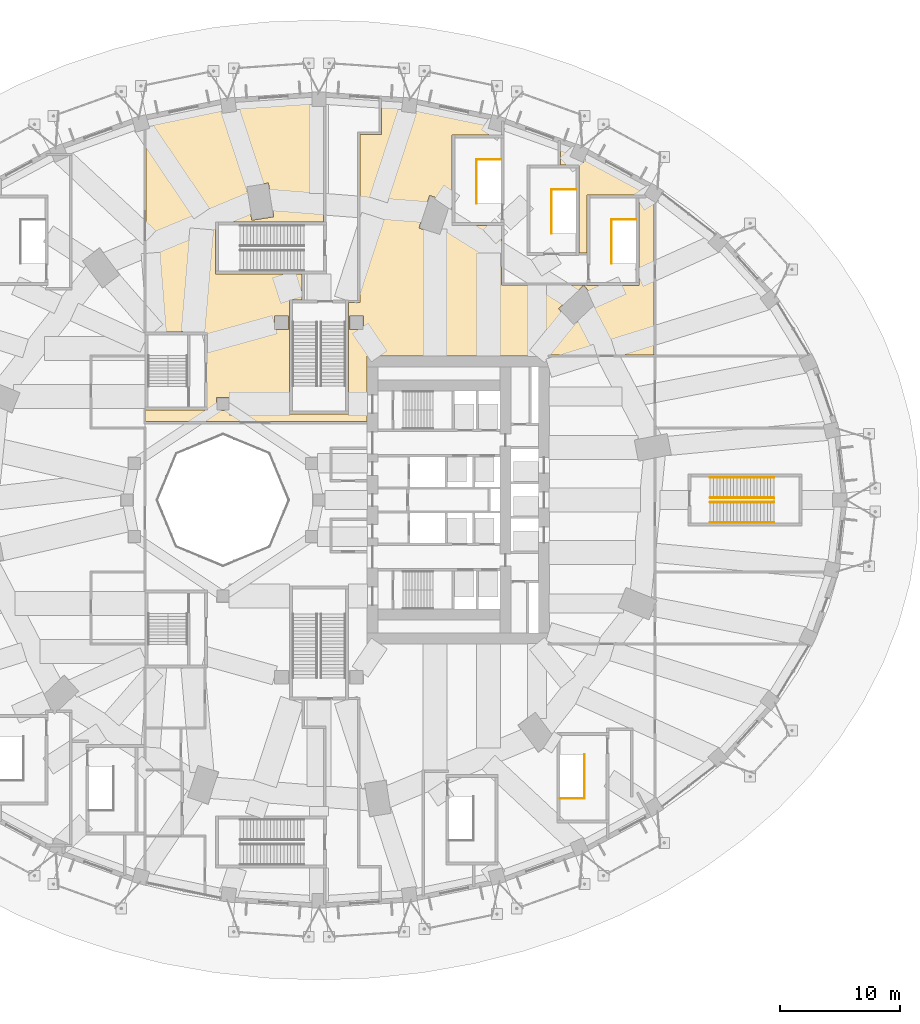
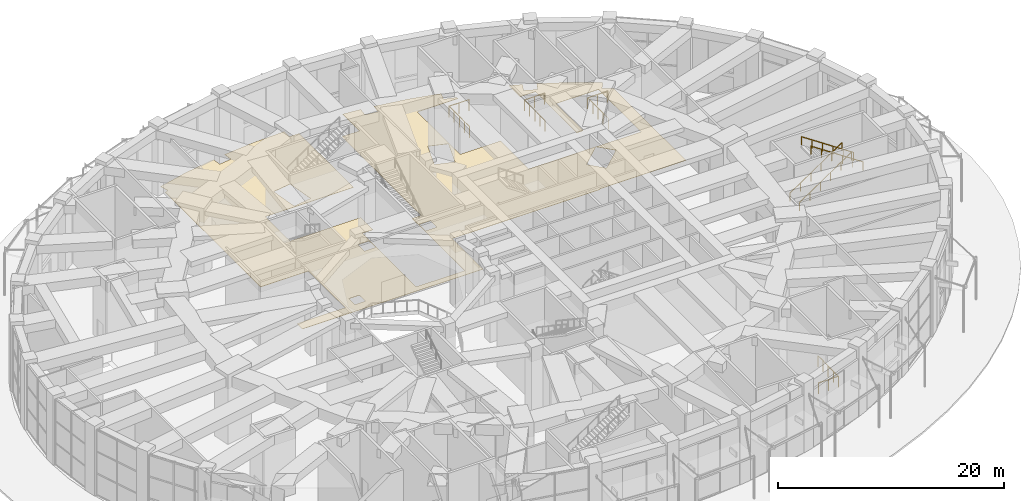
# One storey, part 59 of 60: 8 railings, 1 covering.
"""IFC4 building model written with IfcOpenShell, lengths in metres."""

import ifcopenshell
import ifcopenshell.guid

model = None  # the IFC model being written
_history = None  # IfcOwnerHistory: only IFC2X3 demands one
_inside = {}  # id of a spatial element -> (the spatial element, [elements in it])
_under = {}  # id of a project, library or spatial element -> (it, [spatial elements below it])
_declared = {}  # id of a project -> (the project, [libraries it declares])
_typed = {}  # id of a type object -> (the type object, [elements of that type])
_made_of = {}  # id of a material, layer set ... -> (it, [elements and type objects made of it])


def new_model(schema):
    """Start an empty IFC model of exactly this schema.

    Asked for "IFC4X3", IfcOpenShell would pick the latest addendum, in which some entities
    have other attributes; the version numbers below select the first issue.
    IFC2X3 requires an IfcOwnerHistory on every rooted entity: one is made here for all.
    """
    global model, _history
    if schema == "IFC4X3":
        model = ifcopenshell.file(schema_version=(4, 3, 0, 0))
    else:
        model = ifcopenshell.file(schema=schema)
    _inside.clear()
    _under.clear()
    _declared.clear()
    _typed.clear()
    _made_of.clear()
    _history = None
    if model.schema == "IFC2X3":
        org = make("IfcOrganization", Name="unknown")
        user = make(
            "IfcPersonAndOrganization",
            ThePerson=make("IfcPerson", FamilyName="unknown"),
            TheOrganization=org,
        )
        app = make(
            "IfcApplication",
            ApplicationDeveloper=org,
            Version="unknown",
            ApplicationFullName="unknown",
            ApplicationIdentifier="unknown",
        )
        _history = make(
            "IfcOwnerHistory",
            OwningUser=user,
            OwningApplication=app,
            ChangeAction="ADDED",
            CreationDate=0,
        )
    return model


def make(cls, **values):
    """One entity of the class cls with the attributes given. An attribute that is None is left unset."""
    return model.create_entity(
        cls, **{name: value for name, value in values.items() if value is not None}
    )


def rooted(cls, **values):
    """An entity with a GlobalId (a new one), such as an element, a storey or a relation."""
    return make(cls, GlobalId=ifcopenshell.guid.new(), OwnerHistory=_history, **values)


def si_unit(unit_type, name, prefix=None):
    """IfcSIUnit, for example si_unit("LENGTHUNIT", "METRE", prefix="MILLI")."""
    return make("IfcSIUnit", UnitType=unit_type, Prefix=prefix, Name=name)


def assignment(units):
    """IfcUnitAssignment: the units of a project."""
    return None if units is None else make("IfcUnitAssignment", Units=units)


def point(xyz):
    """IfcCartesianPoint."""
    return None if xyz is None else make("IfcCartesianPoint", Coordinates=xyz)


def direction(xyz):
    """IfcDirection."""
    return None if xyz is None else make("IfcDirection", DirectionRatios=xyz)


def frame(location, z_axis=None, x_axis=None):
    """IfcAxis2Placement3D, a coordinate frame: its origin and axes. An axis left out is left unset."""
    return make(
        "IfcAxis2Placement3D",
        Location=point(location),
        Axis=direction(z_axis),
        RefDirection=direction(x_axis),
    )


def frame_2d(location, x_axis=None):
    """IfcAxis2Placement2D, a coordinate frame in the plane: its origin and x axis."""
    return make(
        "IfcAxis2Placement2D", Location=point(location), RefDirection=direction(x_axis)
    )


def origin():
    """The frame at (0, 0, 0) with its axes left unset."""
    return frame((0.0, 0.0, 0.0))


def origin_2d():
    """The frame at (0, 0) in the plane with its x axis left unset."""
    return frame_2d((0.0, 0.0))


def place(relative_to, where):
    """IfcLocalPlacement: puts the frame where relative to a parent placement (None: the world)."""
    return make(
        "IfcLocalPlacement", PlacementRelTo=relative_to, RelativePlacement=where
    )


def context(
    kind, dimensions, precision=None, world=None, true_north=None, identifier=None
):
    """IfcGeometricRepresentationContext, for example the 3D "Model" context."""
    return make(
        "IfcGeometricRepresentationContext",
        ContextIdentifier=identifier,
        ContextType=kind,
        CoordinateSpaceDimension=dimensions,
        Precision=precision,
        WorldCoordinateSystem=world,
        TrueNorth=true_north,
    )


def subcontext(parent, identifier, kind, view, scale=None):
    """IfcGeometricRepresentationSubContext, for example "Body" below "Model"."""
    return make(
        "IfcGeometricRepresentationSubContext",
        ContextIdentifier=identifier,
        ContextType=kind,
        ParentContext=parent,
        TargetScale=scale,
        TargetView=view,
    )


def project(units=None, contexts=None):
    """IfcProject with its units and contexts."""
    return rooted(
        "IfcProject",
        Name="project",
        RepresentationContexts=contexts,
        UnitsInContext=assignment(units),
    )


def spatial(cls, under=None, at=None, **own):
    """A site, building, storey or space (cls), placed at a placement, below another one or the project."""
    s = rooted(cls, ObjectPlacement=at, **own)
    if under is not None:
        _under.setdefault(under.id(), (under, []))[1].append(s)
    return s


def polyline(points):
    """IfcPolyline through the points."""
    return make("IfcPolyline", Points=[point(p) for p in points])


def profile(cls, at=None, kind="AREA", **sizes):
    """A parametric profile (cls). Its sizes go by their IFC names, for example OverallWidth=200.0."""
    return make(cls, ProfileType=kind, Position=at, **sizes)


def circle(**sizes):
    """IfcCircleProfileDef."""
    return profile("IfcCircleProfileDef", **sizes)


def outline(outer, holes=None, kind="AREA"):
    """IfcArbitraryClosedProfileDef: a profile drawn as a closed curve; with holes, ...WithVoids."""
    if holes is None:
        return make("IfcArbitraryClosedProfileDef", ProfileType=kind, OuterCurve=outer)
    return make(
        "IfcArbitraryProfileDefWithVoids",
        ProfileType=kind,
        OuterCurve=outer,
        InnerCurves=holes,
    )


def extrude(swept, where, along, depth):
    """IfcExtrudedAreaSolid: the profile swept, set in the frame where, extruded along a direction by depth."""
    return make(
        "IfcExtrudedAreaSolid",
        SweptArea=swept,
        Position=where,
        ExtrudedDirection=direction(along),
        Depth=depth,
    )


def shape(context_of_items, identifier, shape_type, items):
    """IfcShapeRepresentation: the items that make up one representation, for example the "Body"."""
    return make(
        "IfcShapeRepresentation",
        ContextOfItems=context_of_items,
        RepresentationIdentifier=identifier,
        RepresentationType=shape_type,
        Items=items,
    )


def material(Name=None, Category=None):
    """IfcMaterial."""
    return make("IfcMaterial", Name=Name, Category=Category)


def layer(
    of_material, thickness, ventilated=None, Name=None, Category=None, Priority=None
):
    """IfcMaterialLayer: one layer of a wall or slab, of a material (None: an air gap)."""
    return make(
        "IfcMaterialLayer",
        Material=of_material,
        LayerThickness=thickness,
        IsVentilated=ventilated,
        Name=Name,
        Category=Category,
        Priority=Priority,
    )


def layer_set(layers, Name=None):
    """IfcMaterialLayerSet."""
    return make("IfcMaterialLayerSet", MaterialLayers=layers, LayerSetName=Name)


def made_of(thing, what):
    """Note that an element or type object is made of a material, layer set ...; save() writes the relation."""
    if what is not None:
        _made_of.setdefault(what.id(), (what, []))[1].append(thing)
    return thing


def type_object(cls, material=None, **own):
    """A type object (cls), such as IfcWallType, which elements share."""
    return made_of(rooted(cls, **own), material)


def element(
    cls,
    number,
    at=None,
    inside=None,
    cuts=None,
    type_object=None,
    material=None,
    context=None,
    identifier="Body",
    shape_type=None,
    held_by="IfcProductDefinitionShape",
    body=None,
    shapes=None,
    **own,
):
    """One element of the class cls, such as IfcWall. Its Tag is "e" and its number.

    at: its placement. inside: the storey or other place that contains it. cuts: it is an
    opening in that element (IfcRelVoidsElement). A single representation is given by context,
    identifier, shape_type and body (its items); several are given by shapes. held_by: the class
    of the entity that holds the representations. save() writes the other relations.
    """
    e = rooted(cls, Tag="e%d" % number, ObjectPlacement=at, **own)
    if body is not None:
        shapes = [shape(context, identifier, shape_type, body)]
    if shapes is not None:
        e.Representation = make(held_by, Representations=shapes)
    if inside is not None:
        _inside.setdefault(inside.id(), (inside, []))[1].append(e)
    if cuts is not None:
        rooted(
            "IfcRelVoidsElement", RelatingBuildingElement=cuts, RelatedOpeningElement=e
        )
    if type_object is not None:
        _typed.setdefault(type_object.id(), (type_object, []))[1].append(e)
    return made_of(e, material)


def aggregate(whole, parts):
    """IfcRelAggregates: a whole, such as a stair, and the parts it consists of."""
    return rooted("IfcRelAggregates", RelatingObject=whole, RelatedObjects=parts)


def save(model, path):
    """Write the relations noted so far, then the file.

    IfcRelAggregates (storeys below a building ...), IfcRelContainedInSpatialStructure (elements
    in a storey), IfcRelDefinesByType, IfcRelAssociatesMaterial and IfcRelDeclares: one each for
    every whole, place, type object, material and project.
    """
    for whole, parts in _under.values():
        aggregate(whole, parts)
    for where, things in _inside.values():
        rooted(
            "IfcRelContainedInSpatialStructure",
            RelatedElements=things,
            RelatingStructure=where,
        )
    for kind, things in _typed.values():
        rooted("IfcRelDefinesByType", RelatedObjects=things, RelatingType=kind)
    for what, things in _made_of.values():
        rooted("IfcRelAssociatesMaterial", RelatedObjects=things, RelatingMaterial=what)
    for by, libraries in _declared.values():
        rooted("IfcRelDeclares", RelatingContext=by, RelatedDefinitions=libraries)
    model.write(path)


model = new_model("IFC4")

# Units and contexts
model_context = context("Model", 3, precision=1e-05, world=origin(), true_north=direction((0.0, 1.0)))
body_context = subcontext(model_context, "Body", "Model", "MODEL_VIEW")
ifc_project = project(units=[si_unit("LENGTHUNIT", "METRE"), si_unit("AREAUNIT", "SQUARE_METRE"), si_unit("VOLUMEUNIT", "CUBIC_METRE"), si_unit("PLANEANGLEUNIT", "RADIAN"), si_unit("MASSUNIT", "GRAM", prefix="KILO")], contexts=[model_context])

# Site, building, storey
site_placement = place(None, origin())
site = spatial("IfcSite", under=ifc_project, at=site_placement, CompositionType="ELEMENT")
building_placement = place(site_placement, origin())
building = spatial("IfcBuilding", under=site, at=building_placement, Name="Taillehof Tower", CompositionType="ELEMENT")
storey_placement = place(building_placement, origin())
storey = spatial("IfcBuildingStorey", under=building, at=storey_placement, Name="L00", CompositionType="ELEMENT", Elevation=0.0)

# Covering
ifc_material_1 = material(Name="Terrazzo floor finish")
ifc_layer = layer(ifc_material_1, 0.030029296875)
ifc_layer_set = layer_set([ifc_layer], Name="Floor finish 30 mm")
covering_type = type_object("IfcCoveringType", Name="Floor finish 30 mm", PredefinedType="FLOORING", material=ifc_layer_set)
covering_placement = place(storey_placement, origin())
element("IfcCovering", 1, at=covering_placement, inside=storey, type_object=covering_type, Name="Floor finish L00-37", PredefinedType="FLOORING", context=body_context, shape_type="SweptSolid", body=[
    extrude(outline(polyline([(4.0, 6.550048828125), (-14.4375, 6.550048828125), (-14.4375, 7.5), (-9.5, 7.5), (-9.5, 14.0), (-14.39990234375, 14.0), (-14.39990234375, 30.85595703125), (-14.095458984375, 30.941650390625), (-14.0927734375, 30.942626953125), (-14.090087890625, 30.94384765625), (-14.08740234375, 30.9453125), (-14.0849609375, 30.947021484375), (-14.082763671875, 30.948974609375), (-14.080810546875, 30.951171875), (-14.0791015625, 30.953369140625), (-14.077392578125, 30.955810546875), (-14.076171875, 30.95849609375), (-14.0751953125, 30.961181640625), (-14.07421875, 30.964111328125), (-14.07373046875, 30.967041015625), (-14.07373046875, 30.969970703125), (-14.07373046875, 30.972900390625), (-14.07421875, 30.975830078125), (-14.07470703125, 30.978759765625), (-14.31201171875, 31.822265625), (-11.3046875, 32.552978515625), (-8.1982421875, 33.083740234375), (-8.07958984375, 32.213134765625), (-8.0791015625, 32.210205078125), (-8.078125, 32.207275390625), (-8.0771484375, 32.20458984375), (-8.07568359375, 32.201904296875), (-8.07421875, 32.199462890625), (-8.072265625, 32.197265625), (-8.0703125, 32.195068359375), (-8.06787109375, 32.193115234375), (-8.065673828125, 32.19140625), (-8.06298828125, 32.190185546875), (-8.060302734375, 32.18896484375), (-8.057373046875, 32.18798828125), (-8.0546875, 32.1875), (-8.0517578125, 32.18701171875), (-8.048828125, 32.18701171875), (-8.0458984375, 32.187255859375), (-6.856689453125, 32.349365234375), (-6.853759765625, 32.349853515625), (-6.85107421875, 32.350830078125), (-6.848388671875, 32.351806640625), (-6.845703125, 32.353271484375), (-6.84326171875, 32.354736328125), (-6.8408203125, 32.356689453125), (-6.8388671875, 32.358642578125), (-6.8369140625, 32.36083984375), (-6.835205078125, 32.36328125), (-6.833740234375, 32.365966796875), (-6.832763671875, 32.36865234375), (-6.831787109375, 32.371337890625), (-6.831298828125, 32.374267578125), (-6.830810546875, 32.377197265625), (-6.830810546875, 32.380126953125), (-6.8310546875, 32.383056640625), (-6.94970703125, 33.253173828125), (-3.806640625, 33.572021484375), (-0.6298828125, 33.678955078125), (-0.6298828125, 32.800048828125), (-0.6298828125, 32.797119140625), (-0.62939453125, 32.794189453125), (-0.628662109375, 32.791259765625), (-0.627685546875, 32.78857421875), (-0.62646484375, 32.785888671875), (-0.625, 32.783447265625), (-0.623291015625, 32.781005859375), (-0.62109375, 32.77880859375), (-0.619140625, 32.77685546875), (-0.61669921875, 32.775146484375), (-0.6142578125, 32.7734375), (-0.611572265625, 32.772216796875), (-0.608642578125, 32.771240234375), (-0.60595703125, 32.7705078125), (-0.60302734375, 32.770263671875), (-0.60009765625, 32.77001953125), (0.385009765625, 32.77001953125), (0.385009765625, 23.175048828125), (-8.360107421875, 23.175048828125), (-8.610107421875, 23.175048828125), (-8.610107421875, 19.074951171875), (-8.610107421875, 18.824951171875), (-1.39990234375, 18.824951171875), (-1.39990234375, 16.669921875), (-2.22509765625, 16.669921875), (-2.47509765625, 16.669921875), (-2.47509765625, 7.39990234375), (-2.47509765625, 7.14990234375), (2.47509765625, 7.14990234375), (2.47509765625, 7.39990234375), (2.47509765625, 16.445068359375), (3.39990234375, 16.445068359375), (3.39990234375, 16.64501953125), (3.39990234375, 30.449951171875), (5.199951171875, 30.449951171875), (5.199951171875, 30.64990234375), (5.199951171875, 33.4306640625), (6.94970703125, 33.253173828125), (6.8310546875, 32.383056640625), (6.830810546875, 32.380126953125), (6.830810546875, 32.377197265625), (6.831298828125, 32.374267578125), (6.831787109375, 32.371337890625), (6.832763671875, 32.36865234375), (6.833740234375, 32.365966796875), (6.835205078125, 32.36328125), (6.8369140625, 32.36083984375), (6.8388671875, 32.358642578125), (6.8408203125, 32.356689453125), (6.84326171875, 32.354736328125), (6.845703125, 32.353271484375), (6.848388671875, 32.351806640625), (6.85107421875, 32.350830078125), (6.853759765625, 32.349853515625), (6.856689453125, 32.349365234375), (8.0458984375, 32.187255859375), (8.048828125, 32.18701171875), (8.0517578125, 32.18701171875), (8.0546875, 32.1875), (8.057373046875, 32.18798828125), (8.060302734375, 32.18896484375), (8.06298828125, 32.190185546875), (8.065673828125, 32.19140625), (8.06787109375, 32.193115234375), (8.0703125, 32.195068359375), (8.072265625, 32.197265625), (8.07421875, 32.199462890625), (8.07568359375, 32.201904296875), (8.0771484375, 32.20458984375), (8.078125, 32.207275390625), (8.0791015625, 32.210205078125), (8.07958984375, 32.213134765625), (8.1982421875, 33.083740234375), (11.3046875, 32.552978515625), (14.31201171875, 31.822265625), (14.07470703125, 30.978759765625), (14.07421875, 30.975830078125), (14.07373046875, 30.972900390625), (14.07373046875, 30.969970703125), (14.07373046875, 30.967041015625), (14.07421875, 30.964111328125), (14.0751953125, 30.961181640625), (14.076171875, 30.95849609375), (14.077392578125, 30.955810546875), (14.0791015625, 30.953369140625), (14.080810546875, 30.951171875), (14.082763671875, 30.948974609375), (14.0849609375, 30.947021484375), (14.08740234375, 30.9453125), (14.090087890625, 30.94384765625), (14.0927734375, 30.942626953125), (14.095458984375, 30.941650390625), (15.199951171875, 30.631103515625), (15.199951171875, 30.4150390625), (11.324951171875, 30.4150390625), (11.074951171875, 30.4150390625), (11.074951171875, 23.125), (11.074951171875, 22.875), (15.199951171875, 22.875), (15.199951171875, 18.10009765625), (15.199951171875, 17.89990234375), (22.324951171875, 17.89990234375), (22.324951171875, 17.875), (26.675048828125, 17.875), (26.675048828125, 18.125), (26.675048828125, 25.1650390625), (26.675048828125, 25.4150390625), (22.574951171875, 25.4150390625), (22.324951171875, 25.4150390625), (22.324951171875, 20.60009765625), (21.675048828125, 20.60009765625), (21.675048828125, 27.6650390625), (21.675048828125, 27.9150390625), (20.114501953125, 27.9150390625), (20.114501953125, 29.88232421875), (21.236328125, 29.432373046875), (20.880126953125, 28.634033203125), (20.879150390625, 28.63134765625), (20.87841796875, 28.62841796875), (20.8779296875, 28.62548828125), (20.877685546875, 28.62255859375), (20.877685546875, 28.61962890625), (20.8779296875, 28.61669921875), (20.878662109375, 28.61376953125), (20.879638671875, 28.611083984375), (20.880859375, 28.6083984375), (20.88232421875, 28.605712890625), (20.8837890625, 28.603271484375), (20.8857421875, 28.60107421875), (20.887939453125, 28.59912109375), (20.890380859375, 28.59716796875), (20.892822265625, 28.595703125), (20.895263671875, 28.594482421875), (21.9912109375, 28.10546875), (21.993896484375, 28.1044921875), (21.996826171875, 28.103515625), (21.999755859375, 28.10302734375), (22.002685546875, 28.102783203125), (22.005615234375, 28.10302734375), (22.008544921875, 28.103271484375), (22.011474609375, 28.10400390625), (22.01416015625, 28.104736328125), (22.016845703125, 28.10595703125), (22.01953125, 28.107421875), (22.02197265625, 28.109130859375), (22.024169921875, 28.111083984375), (22.026123046875, 28.11328125), (22.028076171875, 28.115478515625), (22.029541015625, 28.117919921875), (22.031005859375, 28.12060546875), (22.387939453125, 28.921142578125), (25.055419921875, 27.611572265625), (27.51611328125, 26.156494140625), (27.0419921875, 25.42529296875), (27.04052734375, 25.422607421875), (27.039306640625, 25.419921875), (27.038330078125, 25.417236328125), (27.03759765625, 25.414306640625), (27.037109375, 25.411376953125), (27.037109375, 25.408447265625), (27.037353515625, 25.405517578125), (27.037841796875, 25.402587890625), (27.03857421875, 25.399658203125), (27.03955078125, 25.39697265625), (27.040771484375, 25.394287109375), (27.04248046875, 25.391845703125), (27.044189453125, 25.389404296875), (27.046142578125, 25.387451171875), (27.04833984375, 25.385498046875), (27.05078125, 25.3837890625), (27.89990234375, 24.8330078125), (27.89990234375, 12.10009765625), (19.10009765625, 12.10009765625), (19.10009765625, 12.0), (4.0, 12.0), (4.0, 6.550048828125)]), holes=[polyline([(-8.511474609375, 7.47216796875), (-8.5087890625, 7.47119140625), (-8.505859375, 7.470458984375), (-8.5029296875, 7.47021484375), (-8.5, 7.469970703125), (-7.5, 7.469970703125), (-7.4970703125, 7.47021484375), (-7.494140625, 7.470458984375), (-7.4912109375, 7.47119140625), (-7.488525390625, 7.47216796875), (-7.48583984375, 7.4736328125), (-7.4833984375, 7.47509765625), (-7.48095703125, 7.476806640625), (-7.478759765625, 7.478759765625), (-7.476806640625, 7.48095703125), (-7.47509765625, 7.4833984375), (-7.4736328125, 7.48583984375), (-7.47216796875, 7.488525390625), (-7.47119140625, 7.4912109375), (-7.470458984375, 7.494140625), (-7.47021484375, 7.4970703125), (-7.469970703125, 7.5), (-7.469970703125, 8.5), (-7.47021484375, 8.5029296875), (-7.470458984375, 8.505859375), (-7.47119140625, 8.5087890625), (-7.47216796875, 8.511474609375), (-7.4736328125, 8.51416015625), (-7.47509765625, 8.5166015625), (-7.476806640625, 8.51904296875), (-7.478759765625, 8.521240234375), (-7.48095703125, 8.523193359375), (-7.4833984375, 8.52490234375), (-7.48583984375, 8.5263671875), (-7.488525390625, 8.52783203125), (-7.4912109375, 8.52880859375), (-7.494140625, 8.529541015625), (-7.4970703125, 8.52978515625), (-7.5, 8.530029296875), (-8.5, 8.530029296875), (-8.5029296875, 8.52978515625), (-8.505859375, 8.529541015625), (-8.5087890625, 8.52880859375), (-8.511474609375, 8.52783203125), (-8.51416015625, 8.5263671875), (-8.5166015625, 8.52490234375), (-8.51904296875, 8.523193359375), (-8.521240234375, 8.521240234375), (-8.523193359375, 8.51904296875), (-8.52490234375, 8.5166015625), (-8.5263671875, 8.51416015625), (-8.52783203125, 8.511474609375), (-8.52880859375, 8.5087890625), (-8.529541015625, 8.505859375), (-8.52978515625, 8.5029296875), (-8.530029296875, 8.5), (-8.530029296875, 7.5), (-8.52978515625, 7.4970703125), (-8.529541015625, 7.494140625), (-8.52880859375, 7.4912109375), (-8.52783203125, 7.488525390625), (-8.5263671875, 7.48583984375), (-8.52490234375, 7.4833984375), (-8.523193359375, 7.48095703125), (-8.521240234375, 7.478759765625), (-8.51904296875, 7.476806640625), (-8.5166015625, 7.47509765625), (-8.51416015625, 7.4736328125), (-8.511474609375, 7.47216796875)]), polyline([(2.564208984375, 14.1943359375), (2.56689453125, 14.193359375), (2.56982421875, 14.192626953125), (2.57275390625, 14.1923828125), (2.57568359375, 14.192138671875), (3.67578125, 14.192138671875), (3.6787109375, 14.1923828125), (3.681640625, 14.192626953125), (3.684326171875, 14.193359375), (3.687255859375, 14.1943359375), (3.689697265625, 14.195556640625), (3.6923828125, 14.197265625), (3.694580078125, 14.198974609375), (3.69677734375, 14.200927734375), (3.698974609375, 14.203125), (3.70068359375, 14.20556640625), (3.7021484375, 14.2080078125), (3.703369140625, 14.210693359375), (3.704345703125, 14.21337890625), (3.705078125, 14.21630859375), (3.70556640625, 14.21923828125), (3.70556640625, 14.22216796875), (3.70556640625, 15.322021484375), (3.70556640625, 15.324951171875), (3.705078125, 15.327880859375), (3.704345703125, 15.330810546875), (3.703369140625, 15.33349609375), (3.7021484375, 15.336181640625), (3.70068359375, 15.3388671875), (3.698974609375, 15.341064453125), (3.69677734375, 15.34326171875), (3.694580078125, 15.34521484375), (3.6923828125, 15.34716796875), (3.689697265625, 15.3486328125), (3.687255859375, 15.349853515625), (3.684326171875, 15.350830078125), (3.681640625, 15.3515625), (3.6787109375, 15.35205078125), (3.67578125, 15.35205078125), (2.57568359375, 15.35205078125), (2.57275390625, 15.35205078125), (2.56982421875, 15.3515625), (2.56689453125, 15.350830078125), (2.564208984375, 15.349853515625), (2.5615234375, 15.3486328125), (2.55908203125, 15.34716796875), (2.556640625, 15.34521484375), (2.554443359375, 15.34326171875), (2.552490234375, 15.341064453125), (2.55078125, 15.3388671875), (2.54931640625, 15.336181640625), (2.5478515625, 15.33349609375), (2.546875, 15.330810546875), (2.546142578125, 15.327880859375), (2.5458984375, 15.324951171875), (2.545654296875, 15.322021484375), (2.545654296875, 14.22216796875), (2.5458984375, 14.21923828125), (2.546142578125, 14.21630859375), (2.546875, 14.21337890625), (2.5478515625, 14.210693359375), (2.54931640625, 14.2080078125), (2.55078125, 14.20556640625), (2.552490234375, 14.203125), (2.554443359375, 14.200927734375), (2.556640625, 14.198974609375), (2.55908203125, 14.197265625), (2.5615234375, 14.195556640625), (2.564208984375, 14.1943359375)]), polyline([(-3.687255859375, 14.1943359375), (-3.684326171875, 14.193359375), (-3.681640625, 14.192626953125), (-3.6787109375, 14.1923828125), (-3.67578125, 14.192138671875), (-2.57568359375, 14.192138671875), (-2.57275390625, 14.1923828125), (-2.56982421875, 14.192626953125), (-2.56689453125, 14.193359375), (-2.564208984375, 14.1943359375), (-2.5615234375, 14.195556640625), (-2.55908203125, 14.197265625), (-2.556640625, 14.198974609375), (-2.554443359375, 14.200927734375), (-2.552490234375, 14.203125), (-2.55078125, 14.20556640625), (-2.54931640625, 14.2080078125), (-2.5478515625, 14.210693359375), (-2.546875, 14.21337890625), (-2.546142578125, 14.21630859375), (-2.5458984375, 14.21923828125), (-2.545654296875, 14.22216796875), (-2.545654296875, 15.322021484375), (-2.5458984375, 15.324951171875), (-2.546142578125, 15.327880859375), (-2.546875, 15.330810546875), (-2.5478515625, 15.33349609375), (-2.54931640625, 15.336181640625), (-2.55078125, 15.3388671875), (-2.552490234375, 15.341064453125), (-2.554443359375, 15.34326171875), (-2.556640625, 15.34521484375), (-2.55908203125, 15.34716796875), (-2.5615234375, 15.3486328125), (-2.564208984375, 15.349853515625), (-2.56689453125, 15.350830078125), (-2.56982421875, 15.3515625), (-2.57275390625, 15.35205078125), (-2.57568359375, 15.35205078125), (-3.67578125, 15.35205078125), (-3.6787109375, 15.35205078125), (-3.681640625, 15.3515625), (-3.684326171875, 15.350830078125), (-3.687255859375, 15.349853515625), (-3.689697265625, 15.3486328125), (-3.6923828125, 15.34716796875), (-3.694580078125, 15.34521484375), (-3.69677734375, 15.34326171875), (-3.698974609375, 15.341064453125), (-3.70068359375, 15.3388671875), (-3.7021484375, 15.336181640625), (-3.703369140625, 15.33349609375), (-3.704345703125, 15.330810546875), (-3.705078125, 15.327880859375), (-3.70556640625, 15.324951171875), (-3.70556640625, 15.322021484375), (-3.70556640625, 14.22216796875), (-3.70556640625, 14.21923828125), (-3.705078125, 14.21630859375), (-3.704345703125, 14.21337890625), (-3.703369140625, 14.210693359375), (-3.7021484375, 14.2080078125), (-3.70068359375, 14.20556640625), (-3.698974609375, 14.203125), (-3.69677734375, 14.200927734375), (-3.694580078125, 14.198974609375), (-3.6923828125, 14.197265625), (-3.689697265625, 14.195556640625), (-3.687255859375, 14.1943359375)]), polyline([(10.106201171875, 22.09765625), (10.10791015625, 22.099853515625), (10.109619140625, 22.1025390625), (10.11083984375, 22.10498046875), (10.11181640625, 22.10791015625), (10.98046875, 24.769775390625), (10.981201171875, 24.7724609375), (10.981689453125, 24.775390625), (10.98193359375, 24.7783203125), (10.98193359375, 24.78125), (10.9814453125, 24.7841796875), (10.98095703125, 24.787109375), (10.97998046875, 24.789794921875), (10.978759765625, 24.79248046875), (10.977294921875, 24.795166015625), (10.9755859375, 24.797607421875), (10.9736328125, 24.7998046875), (10.971435546875, 24.8017578125), (10.96923828125, 24.803466796875), (10.966552734375, 24.80517578125), (10.964111328125, 24.806396484375), (10.961181640625, 24.807373046875), (9.25, 25.365966796875), (9.247314453125, 25.36669921875), (9.244384765625, 25.3671875), (9.241455078125, 25.367431640625), (9.238525390625, 25.3671875), (9.235595703125, 25.366943359375), (9.232666015625, 25.3662109375), (9.22998046875, 25.365234375), (9.227294921875, 25.364013671875), (9.224609375, 25.362548828125), (9.22216796875, 25.36083984375), (9.219970703125, 25.359130859375), (9.218017578125, 25.35693359375), (9.21630859375, 25.3544921875), (9.214599609375, 25.35205078125), (9.21337890625, 25.349365234375), (9.212158203125, 25.3466796875), (8.34375, 22.684814453125), (8.3427734375, 22.681884765625), (8.34228515625, 22.678955078125), (8.34228515625, 22.676025390625), (8.34228515625, 22.673095703125), (8.342529296875, 22.670166015625), (8.34326171875, 22.66748046875), (8.34423828125, 22.66455078125), (8.345458984375, 22.661865234375), (8.346923828125, 22.659423828125), (8.3486328125, 22.656982421875), (8.3505859375, 22.65478515625), (8.3525390625, 22.65283203125), (8.35498046875, 22.65087890625), (8.357421875, 22.6494140625), (8.360107421875, 22.64794921875), (8.36279296875, 22.64697265625), (10.073974609375, 22.088623046875), (10.076904296875, 22.087890625), (10.079833984375, 22.08740234375), (10.082763671875, 22.087158203125), (10.085693359375, 22.087158203125), (10.088623046875, 22.087646484375), (10.091552734375, 22.088134765625), (10.09423828125, 22.089111328125), (10.096923828125, 22.09033203125), (10.099609375, 22.091796875), (10.101806640625, 22.093505859375), (10.10400390625, 22.095458984375), (10.106201171875, 22.09765625)]), polyline([(-3.76953125, 23.6142578125), (-3.768798828125, 23.6171875), (-3.768310546875, 23.619873046875), (-3.76806640625, 23.622802734375), (-3.76806640625, 23.6259765625), (-3.768310546875, 23.62890625), (-4.20556640625, 26.39453125), (-4.2060546875, 26.397216796875), (-4.20703125, 26.400146484375), (-4.208251953125, 26.40283203125), (-4.209716796875, 26.405517578125), (-4.211181640625, 26.407958984375), (-4.213134765625, 26.41015625), (-4.21533203125, 26.412109375), (-4.217529296875, 26.4140625), (-4.219970703125, 26.41552734375), (-4.22265625, 26.4169921875), (-4.225341796875, 26.418212890625), (-4.228271484375, 26.4189453125), (-4.231201171875, 26.41943359375), (-4.234130859375, 26.419677734375), (-4.237060546875, 26.419677734375), (-4.239990234375, 26.41943359375), (-6.017822265625, 26.138427734375), (-6.020751953125, 26.1376953125), (-6.0234375, 26.13671875), (-6.026123046875, 26.1357421875), (-6.02880859375, 26.13427734375), (-6.03125, 26.132568359375), (-6.033447265625, 26.130615234375), (-6.03564453125, 26.128662109375), (-6.037353515625, 26.126220703125), (-6.0390625, 26.123779296875), (-6.040283203125, 26.121337890625), (-6.04150390625, 26.118408203125), (-6.042236328125, 26.11572265625), (-6.042724609375, 26.11279296875), (-6.043212890625, 26.10986328125), (-6.04296875, 26.10693359375), (-6.042724609375, 26.10400390625), (-5.60546875, 23.33837890625), (-5.60498046875, 23.33544921875), (-5.60400390625, 23.332763671875), (-5.60302734375, 23.329833984375), (-5.6015625, 23.327392578125), (-5.599853515625, 23.324951171875), (-5.597900390625, 23.32275390625), (-5.595947265625, 23.320556640625), (-5.593505859375, 23.31884765625), (-5.591064453125, 23.317138671875), (-5.58837890625, 23.315673828125), (-5.585693359375, 23.314697265625), (-5.5830078125, 23.31396484375), (-5.580078125, 23.313232421875), (-5.5771484375, 23.31298828125), (-5.57421875, 23.31298828125), (-5.5712890625, 23.3134765625), (-3.793212890625, 23.594482421875), (-3.79052734375, 23.594970703125), (-3.78759765625, 23.595947265625), (-3.784912109375, 23.59716796875), (-3.7822265625, 23.5986328125), (-3.77978515625, 23.60009765625), (-3.777587890625, 23.60205078125), (-3.775634765625, 23.604248046875), (-3.773681640625, 23.6064453125), (-3.772216796875, 23.60888671875), (-3.770751953125, 23.611572265625), (-3.76953125, 23.6142578125)]), polyline([(21.244140625, 14.588623046875), (21.246826171875, 14.589599609375), (21.24951171875, 14.591064453125), (21.251953125, 14.5927734375), (21.254150390625, 14.5947265625), (23.29833984375, 16.508056640625), (23.300537109375, 16.51025390625), (23.30224609375, 16.512451171875), (23.303955078125, 16.514892578125), (23.30517578125, 16.517578125), (23.306396484375, 16.520263671875), (23.30712890625, 16.523193359375), (23.3076171875, 16.526123046875), (23.307861328125, 16.529052734375), (23.307861328125, 16.531982421875), (23.3076171875, 16.534912109375), (23.306884765625, 16.53759765625), (23.305908203125, 16.54052734375), (23.304931640625, 16.543212890625), (23.303466796875, 16.545654296875), (23.3017578125, 16.548095703125), (23.2998046875, 16.550537109375), (22.06982421875, 17.86474609375), (22.067626953125, 17.86669921875), (22.0654296875, 17.868408203125), (22.06298828125, 17.8701171875), (22.060302734375, 17.87158203125), (22.0576171875, 17.87255859375), (22.0546875, 17.873291015625), (22.0517578125, 17.873779296875), (22.048828125, 17.8740234375), (22.0458984375, 17.8740234375), (22.04296875, 17.873779296875), (22.040283203125, 17.873046875), (22.037353515625, 17.872314453125), (22.03466796875, 17.87109375), (22.031982421875, 17.86962890625), (22.02978515625, 17.867919921875), (22.02734375, 17.865966796875), (19.983154296875, 15.95263671875), (19.98095703125, 15.95068359375), (19.979248046875, 15.9482421875), (19.9775390625, 15.94580078125), (19.976318359375, 15.943115234375), (19.97509765625, 15.9404296875), (19.974365234375, 15.937744140625), (19.973876953125, 15.934814453125), (19.9736328125, 15.931884765625), (19.9736328125, 15.928955078125), (19.97412109375, 15.926025390625), (19.974609375, 15.923095703125), (19.9755859375, 15.920166015625), (19.976806640625, 15.91748046875), (19.97802734375, 15.9150390625), (19.979736328125, 15.91259765625), (19.981689453125, 15.910400390625), (21.211669921875, 14.59619140625), (21.2138671875, 14.593994140625), (21.216064453125, 14.59228515625), (21.218505859375, 14.590576171875), (21.22119140625, 14.58935546875), (21.223876953125, 14.588134765625), (21.226806640625, 14.58740234375), (21.229736328125, 14.5869140625), (21.232666015625, 14.586669921875), (21.235595703125, 14.586669921875), (21.238525390625, 14.5869140625), (21.241455078125, 14.587646484375), (21.244140625, 14.588623046875)])]), origin(), (0.0, 0.0, 1.0), 0.030029296875),
])

# Railings
ifc_material_2 = material(Name="Stainless steel and laminated glass", Category="steel")
railing_type_1 = type_object("IfcRailingType", Name="Guard 1200 mm", PredefinedType="GUARDRAIL", material=ifc_material_2)
railing_1_placement = place(storey_placement, frame((13.125, 24.72509765625, 0.0)))
element("IfcRailing", 2, at=railing_1_placement, inside=storey, type_object=railing_type_1, Name="Guard B3", PredefinedType="GUARDRAIL", context=body_context, shape_type="SweptSolid", body=[
    extrude(circle(Radius=0.02392578125, at=origin_2d()), frame((0.0, 0.0, 1.17578125), z_axis=(0.0, 1.0, 0.0), x_axis=(-1.0, 0.0, 0.0)), (0.0, 0.0, 1.0), 3.639892578125),
    extrude(circle(Radius=0.02392578125, at=origin_2d()), frame((0.0, 3.639892578125, 1.17578125), z_axis=(1.0, 0.0, 0.0), x_axis=(0.0, 1.0, 0.0)), (0.0, 0.0, 1.0), 2.050048828125),
    extrude(circle(Radius=0.02099609375, at=origin_2d()), origin(), (0.0, 0.0, 1.0), 1.15185546875),
    extrude(circle(Radius=0.02099609375, at=origin_2d()), frame((0.0, 0.909912109375, 0.0)), (0.0, 0.0, 1.0), 1.15185546875),
    extrude(circle(Radius=0.02099609375, at=origin_2d()), frame((0.0, 1.81982421875, 0.0)), (0.0, 0.0, 1.0), 1.15185546875),
    extrude(circle(Radius=0.02099609375, at=origin_2d()), frame((0.0, 2.72998046875, 0.0)), (0.0, 0.0, 1.0), 1.15185546875),
    extrude(circle(Radius=0.02099609375, at=origin_2d()), frame((0.0, 3.639892578125, 0.0)), (0.0, 0.0, 1.0), 1.15185546875),
    extrude(circle(Radius=0.02099609375, at=origin_2d()), frame((1.02490234375, 3.639892578125, 0.0)), (0.0, 0.0, 1.0), 1.15185546875),
    extrude(circle(Radius=0.02099609375, at=origin_2d()), frame((2.050048828125, 3.639892578125, 0.0)), (0.0, 0.0, 1.0), 1.15185546875),
])
railing_2_placement = place(storey_placement, frame((22.125, -21.22509765625, 0.0)))
element("IfcRailing", 3, at=railing_2_placement, inside=storey, type_object=railing_type_1, Name="Guard B4", PredefinedType="GUARDRAIL", context=body_context, shape_type="SweptSolid", body=[
    extrude(circle(Radius=0.02392578125, at=origin_2d()), frame((0.0, 0.0, 1.17578125), z_axis=(0.0, -1.0, 0.0), x_axis=(1.0, 0.0, 0.0)), (0.0, 0.0, 1.0), 3.639892578125),
    extrude(circle(Radius=0.02392578125, at=origin_2d()), frame((0.0, -3.639892578125, 1.17578125), z_axis=(-1.0, 0.0, 0.0), x_axis=(0.0, -1.0, 0.0)), (0.0, 0.0, 1.0), 2.050048828125),
    extrude(circle(Radius=0.02099609375, at=origin_2d()), origin(), (0.0, 0.0, 1.0), 1.15185546875),
    extrude(circle(Radius=0.02099609375, at=origin_2d()), frame((0.0, -0.909912109375, 0.0)), (0.0, 0.0, 1.0), 1.15185546875),
    extrude(circle(Radius=0.02099609375, at=origin_2d()), frame((0.0, -1.81982421875, 0.0)), (0.0, 0.0, 1.0), 1.15185546875),
    extrude(circle(Radius=0.02099609375, at=origin_2d()), frame((0.0, -2.72998046875, 0.0)), (0.0, 0.0, 1.0), 1.15185546875),
    extrude(circle(Radius=0.02099609375, at=origin_2d()), frame((0.0, -3.639892578125, 0.0)), (0.0, 0.0, 1.0), 1.15185546875),
    extrude(circle(Radius=0.02099609375, at=origin_2d()), frame((-1.02490234375, -3.639892578125, 0.0)), (0.0, 0.0, 1.0), 1.15185546875),
    extrude(circle(Radius=0.02099609375, at=origin_2d()), frame((-2.050048828125, -3.639892578125, 0.0)), (0.0, 0.0, 1.0), 1.15185546875),
])
for number, where, name in (
    (4, (24.375, 19.72509765625, 0.0), "Guard B5"),
    (5, (19.375, 22.22509765625, 0.0), "Guard B7"),
):
    element("IfcRailing", number, at=place(storey_placement, frame(where)), inside=storey, type_object=railing_type_1, Name=name, PredefinedType="GUARDRAIL", context=body_context, shape_type="SweptSolid", body=[
        extrude(circle(Radius=0.02392578125, at=origin_2d()), frame((0.0, 0.0, 1.17578125), z_axis=(0.0, 1.0, 0.0), x_axis=(-1.0, 0.0, 0.0)), (0.0, 0.0, 1.0), 3.639892578125),
        extrude(circle(Radius=0.02392578125, at=origin_2d()), frame((0.0, 3.639892578125, 1.17578125), z_axis=(1.0, 0.0, 0.0), x_axis=(0.0, 1.0, 0.0)), (0.0, 0.0, 1.0), 2.050048828125),
        extrude(circle(Radius=0.02099609375, at=origin_2d()), origin(), (0.0, 0.0, 1.0), 1.15185546875),
        extrude(circle(Radius=0.02099609375, at=origin_2d()), frame((0.0, 0.909912109375, 0.0)), (0.0, 0.0, 1.0), 1.15185546875),
        extrude(circle(Radius=0.02099609375, at=origin_2d()), frame((0.0, 1.81982421875, 0.0)), (0.0, 0.0, 1.0), 1.15185546875),
        extrude(circle(Radius=0.02099609375, at=origin_2d()), frame((0.0, 2.72998046875, 0.0)), (0.0, 0.0, 1.0), 1.15185546875),
        extrude(circle(Radius=0.02099609375, at=origin_2d()), frame((0.0, 3.639892578125, 0.0)), (0.0, 0.0, 1.0), 1.15185546875),
        extrude(circle(Radius=0.02099609375, at=origin_2d()), frame((1.02490234375, 3.639892578125, 0.0)), (0.0, 0.0, 1.0), 1.15185546875),
        extrude(circle(Radius=0.02099609375, at=origin_2d()), frame((2.050048828125, 3.639892578125, 0.0)), (0.0, 0.0, 1.0), 1.15185546875),
    ])
ifc_material_3 = material(Name="Stainless steel tube", Category="steel")
railing_type_2 = type_object("IfcRailingType", Name="Handrail 900 mm", PredefinedType="HANDRAIL", material=ifc_material_3)
for number, where, name in (
    (6, (32.60009765625, 1.864990234375, 0.1875), "Handrail P5"),
    (7, (32.60009765625, 0.18505859375, 0.1875), "Handrail P5"),
):
    element("IfcRailing", number, at=place(storey_placement, frame(where)), inside=storey, type_object=railing_type_2, Name=name, PredefinedType="HANDRAIL", context=body_context, shape_type="SweptSolid", body=[
        extrude(circle(Radius=0.02392578125, at=origin_2d()), frame((0.0, 0.0, 0.8759765625), z_axis=(0.830898676959, 0.0, 0.556423749159), x_axis=(0.0, 1.0, 0.0)), (0.0, 0.0, 1.0), 6.402587890625),
        extrude(circle(Radius=0.02099609375, at=origin_2d()), origin(), (0.0, 0.0, 1.0), 0.851806640625),
        extrude(circle(Radius=0.02099609375, at=origin_2d()), frame((1.06396484375, 0.0, 0.71240234375)), (0.0, 0.0, 1.0), 0.851806640625),
        extrude(circle(Radius=0.02099609375, at=origin_2d()), frame((2.1279296875, 0.0, 1.425048828125)), (0.0, 0.0, 1.0), 0.851806640625),
        extrude(circle(Radius=0.02099609375, at=origin_2d()), frame((3.19189453125, 0.0, 2.137451171875)), (0.0, 0.0, 1.0), 0.851806640625),
        extrude(circle(Radius=0.02099609375, at=origin_2d()), frame((4.255859375, 0.0, 2.85009765625)), (0.0, 0.0, 1.0), 0.851806640625),
        extrude(circle(Radius=0.02099609375, at=origin_2d()), frame((5.31982421875, 0.0, 3.5625)), (0.0, 0.0, 1.0), 0.851806640625),
    ])
for number, where, name in (
    (8, (37.919921875, -0.18505859375, 3.9375), "Handrail P5"),
    (9, (37.919921875, -1.864990234375, 3.9375), "Handrail P5"),
):
    element("IfcRailing", number, at=place(storey_placement, frame(where)), inside=storey, type_object=railing_type_2, Name=name, PredefinedType="HANDRAIL", context=body_context, shape_type="SweptSolid", body=[
        extrude(circle(Radius=0.02392578125, at=origin_2d()), frame((0.0, 0.0, 0.8759765625), z_axis=(-0.830898676959, 0.0, 0.556423749159), x_axis=(0.0, -1.0, 0.0)), (0.0, 0.0, 1.0), 6.402587890625),
        extrude(circle(Radius=0.02099609375, at=origin_2d()), origin(), (0.0, 0.0, 1.0), 0.851806640625),
        extrude(circle(Radius=0.02099609375, at=origin_2d()), frame((-1.06396484375, 0.0, 0.71240234375)), (0.0, 0.0, 1.0), 0.851806640625),
        extrude(circle(Radius=0.02099609375, at=origin_2d()), frame((-2.1279296875, 0.0, 1.425048828125)), (0.0, 0.0, 1.0), 0.851806640625),
        extrude(circle(Radius=0.02099609375, at=origin_2d()), frame((-3.19189453125, 0.0, 2.137451171875)), (0.0, 0.0, 1.0), 0.851806640625),
        extrude(circle(Radius=0.02099609375, at=origin_2d()), frame((-4.255859375, 0.0, 2.85009765625)), (0.0, 0.0, 1.0), 0.851806640625),
        extrude(circle(Radius=0.02099609375, at=origin_2d()), frame((-5.31982421875, 0.0, 3.5625)), (0.0, 0.0, 1.0), 0.851806640625),
    ])

save(model, "model.ifc")
